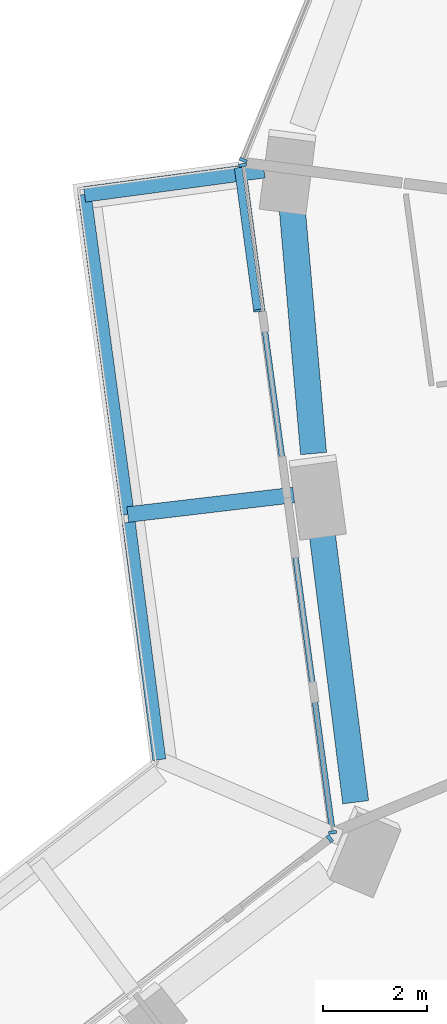
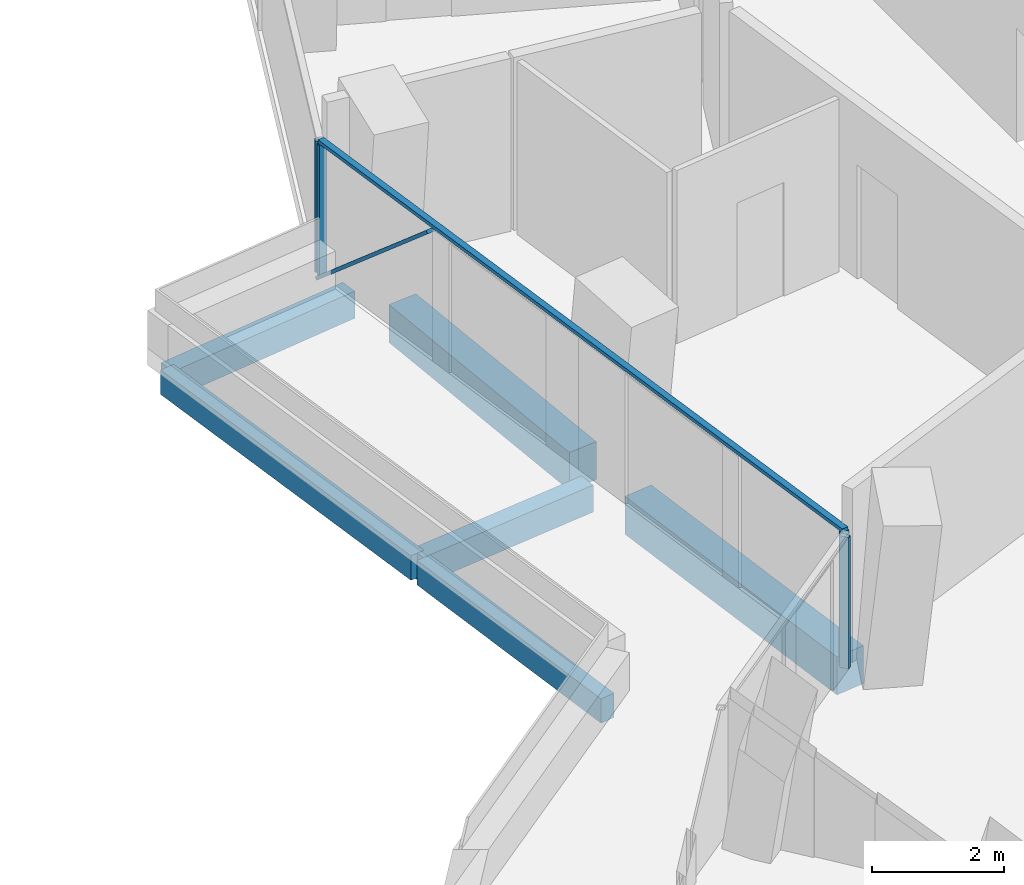
# One storey, part 4 of 27: 6 beams, 6 members, 3 elements without a shape of their own.
"""IFC4 building model written with IfcOpenShell, lengths in metres."""

from ifc_helpers import new_model, si_unit, direction, frame, origin, origin_2d, place, context, subcontext, project, spatial, rectangle, extrude, material, layer, layer_set, material_profile, profile_set, type_object, element, aggregate, save


model = new_model("IFC4")

# Units and contexts
model_context = context("Model", 3, precision=1e-05, world=origin(), true_north=direction((0.0, 1.0)))
body_context = subcontext(model_context, "Body", "Model", "MODEL_VIEW")
ifc_project = project(units=[si_unit("LENGTHUNIT", "METRE"), si_unit("AREAUNIT", "SQUARE_METRE"), si_unit("VOLUMEUNIT", "CUBIC_METRE"), si_unit("PLANEANGLEUNIT", "RADIAN"), si_unit("MASSUNIT", "GRAM", prefix="KILO")], contexts=[model_context])

# Site, building, storey
site_placement = place(None, origin())
site = spatial("IfcSite", under=ifc_project, at=site_placement, CompositionType="ELEMENT")
building_placement = place(site_placement, origin())
building = spatial("IfcBuilding", under=site, at=building_placement, Name="Verdalira Terraces Hotel", CompositionType="ELEMENT")
storey_placement = place(building_placement, frame((0.0, 0.0, 64.5)))
storey = spatial("IfcBuildingStorey", under=building, at=storey_placement, Name="L14", CompositionType="ELEMENT", Elevation=64.5)

# Beams
ifc_material_1 = material(Name="Concrete C40", Category="concrete")
ifc_material_profile_1 = material_profile(ifc_material_1, rectangle(XDim=0.300049, YDim=0.5, at=origin_2d()), Name="RC 300X500")
ifc_profile_set_1 = profile_set([ifc_material_profile_1], Name="Concrete C40")
beam_type_1 = type_object("IfcBeamType", Name="Balcony cantilever beam RC 300X500 C40", PredefinedType="BEAM", material=ifc_profile_set_1)
beam_1_placement = place(storey_placement, frame((-24.414551, 3.042236, -0.560059), z_axis=(-0.991030755, -0.133633985, 0.0), x_axis=(0.133633985, -0.991030755, 0.0)))
element("IfcBeam", 1, at=beam_1_placement, inside=storey, type_object=beam_type_1, Name="Balcony cantilever beam R13-3", PredefinedType="BEAM", context=body_context, shape_type="SweptSolid", body=[
    extrude(rectangle(XDim=0.300049, YDim=0.5, at=origin_2d()), origin(), (0.0, 0.0, 1.0), 3.469238),
])
beam_2_placement = place(storey_placement, frame((-23.846924, -3.180664, -0.560059), z_axis=(-0.993130805, -0.11700942, 0.0), x_axis=(0.11700942, -0.993130805, 0.0)))
element("IfcBeam", 2, at=beam_2_placement, inside=storey, type_object=beam_type_1, Name="Balcony cantilever beam R13-4", PredefinedType="BEAM", context=body_context, shape_type="SweptSolid", body=[
    extrude(rectangle(XDim=0.300049, YDim=0.5, at=origin_2d()), origin(), (0.0, 0.0, 1.0), 3.200684),
])
ifc_material_2 = material(Name="Concrete C40", Category="concrete")
ifc_material_profile_2 = material_profile(ifc_material_2, rectangle(XDim=0.25, YDim=0.449951, at=origin_2d()), Name="RC 250X450")
ifc_profile_set_2 = profile_set([ifc_material_profile_2], Name="Concrete C40")
beam_type_2 = type_object("IfcBeamType", Name="Balcony edge beam RC 250X450 C40", PredefinedType="BEAM", material=ifc_profile_set_2)
beam_3_placement = place(storey_placement, frame((-27.852783, 2.578613, -0.534912), z_axis=(0.133641489, -0.991029743, 0.0), x_axis=(0.991029743, 0.133641489, 0.0)))
element("IfcBeam", 3, at=beam_3_placement, inside=storey, type_object=beam_type_2, Name="Balcony edge beam R13-2", PredefinedType="BEAM", context=body_context, shape_type="SweptSolid", body=[
    extrude(rectangle(XDim=0.25, YDim=0.449951, at=origin_2d()), origin(), (0.0, 0.0, 1.0), 6.189209),
])
beam_4_placement = place(storey_placement, frame((-27.006592, -3.704102, -0.534912), z_axis=(0.127684119, -0.991814885, 0.0), x_axis=(0.991814885, 0.127684119, 0.0)))
element("IfcBeam", 4, at=beam_4_placement, inside=storey, type_object=beam_type_2, Name="Balcony edge beam R13-3", PredefinedType="BEAM", context=body_context, shape_type="SweptSolid", body=[
    extrude(rectangle(XDim=0.25, YDim=0.449951, at=origin_2d()), origin(), (0.0, 0.0, 1.0), 4.585205),
])

# Curtain wall, member
ifc_material_3 = material(Name="Clear glass", Category="glass")
ifc_layer_1 = layer(ifc_material_3, 0.14990234375)
ifc_layer_set_1 = layer_set([ifc_layer_1], Name="CW1 curtain wall")
curtain_wall_type_1 = type_object("IfcCurtainWallType", Name="CW1 curtain wall", PredefinedType="NOTDEFINED", material=ifc_layer_set_1)
curtain_wall_1_placement = place(storey_placement, origin())
curtain_wall_1 = element("IfcCurtainWall", 5, at=curtain_wall_1_placement, inside=storey, type_object=curtain_wall_type_1, Name="CW1 curtain wall L14 edge 12", PredefinedType="NOTDEFINED")
ifc_material_4 = material(Name="Terracotta frame", Category="masonry")
ifc_material_profile_3 = material_profile(ifc_material_4, rectangle(XDim=0.060059, YDim=0.149902, at=origin_2d()), Name="MU 60x150")
ifc_profile_set_3 = profile_set([ifc_material_profile_3], Name="Terracotta frame")
member_type_1 = type_object("IfcMemberType", Name="CW1 mullion 60x150", PredefinedType="MULLION", material=ifc_profile_set_3)
member_1_placement = place(storey_placement, frame((-24.813232, 3.236328, 0.0), z_axis=(0.0, 0.0, 1.0), x_axis=(-0.379779096, -0.925077207, 0.0)))
member_1 = element("IfcMember", 6, at=member_1_placement, type_object=member_type_1, Name="CW1 mullion", PredefinedType="MULLION", context=body_context, shape_type="SweptSolid", body=[
    extrude(rectangle(XDim=0.060059, YDim=0.149902, at=origin_2d()), origin(), (0.0, 0.0, 1.0), 2.425049),
])
aggregate(curtain_wall_1, [member_1])

# Curtain wall, members
curtain_wall_2_placement = place(storey_placement, origin())
curtain_wall_2 = element("IfcCurtainWall", 7, at=curtain_wall_2_placement, inside=storey, type_object=curtain_wall_type_1, Name="CW1 curtain wall L14 edge 13", PredefinedType="NOTDEFINED")
member_2_placement = place(storey_placement, frame((-24.825684, 3.140381, 0.0), z_axis=(0.0, 0.0, 1.0), x_axis=(0.133640259, -0.991029909, 0.0)))
member_2 = element("IfcMember", 8, at=member_2_placement, type_object=member_type_1, Name="CW1 mullion", PredefinedType="MULLION", context=body_context, shape_type="SweptSolid", body=[
    extrude(rectangle(XDim=0.060059, YDim=0.149902, at=origin_2d()), origin(), (0.0, 0.0, 1.0), 2.425049),
])
member_3_placement = place(storey_placement, frame((-23.101807, -9.643799, 0.0), z_axis=(0.0, 0.0, 1.0), x_axis=(0.133640259, -0.991029909, 0.0)))
member_3 = element("IfcMember", 9, at=member_3_placement, type_object=member_type_1, Name="CW1 mullion", PredefinedType="MULLION", context=body_context, shape_type="SweptSolid", body=[
    extrude(rectangle(XDim=0.060059, YDim=0.149902, at=origin_2d()), origin(), (0.0, 0.0, 1.0), 2.425049),
])
ifc_material_5 = material(Name="Terracotta frame", Category="masonry")
ifc_material_profile_4 = material_profile(ifc_material_5, rectangle(XDim=0.110107, YDim=0.064941, at=origin_2d()), Name="TR 65x110")
ifc_profile_set_4 = profile_set([ifc_material_profile_4], Name="Terracotta frame")
member_type_2 = type_object("IfcMemberType", Name="CW1 transom 65x110", PredefinedType="USERDEFINED", material=ifc_profile_set_4)
member_4_placement = place(storey_placement, frame((-24.82959, 3.169922, 2.45752), z_axis=(0.133639383, -0.991030027, 0.0), x_axis=(0.991030027, 0.133639383, 0.0)))
member_4 = element("IfcMember", 10, at=member_4_placement, type_object=member_type_2, Name="CW1 transom", ObjectType="TRANSOM", PredefinedType="USERDEFINED", context=body_context, shape_type="SweptSolid", body=[
    extrude(rectangle(XDim=0.110107, YDim=0.064941, at=origin_2d()), origin(), (0.0, 0.0, 1.0), 12.959717),
])

# Curtain wall, member
ifc_material_6 = material(Name="Clear glass", Category="glass")
ifc_layer_2 = layer(ifc_material_6, 0.14990234375)
ifc_layer_set_2 = layer_set([ifc_layer_2], Name="CW2 curtain wall")
curtain_wall_type_2 = type_object("IfcCurtainWallType", Name="CW2 curtain wall", PredefinedType="NOTDEFINED", material=ifc_layer_set_2)
curtain_wall_3_placement = place(storey_placement, origin())
curtain_wall_3 = element("IfcCurtainWall", 11, at=curtain_wall_3_placement, inside=storey, type_object=curtain_wall_type_2, Name="CW2 curtain wall L14 edge 14", PredefinedType="NOTDEFINED")
ifc_material_7 = material(Name="Terracotta frame", Category="masonry")
ifc_material_profile_5 = material_profile(ifc_material_7, rectangle(XDim=0.070068, YDim=0.149902, at=origin_2d()), Name="MU 70x150")
ifc_profile_set_5 = profile_set([ifc_material_profile_5], Name="Terracotta frame")
member_type_3 = type_object("IfcMemberType", Name="CW2 mullion 70x150", PredefinedType="MULLION", material=ifc_profile_set_5)
member_5_placement = place(storey_placement, frame((-23.153809, -9.764404, 0.0), z_axis=(0.0, 0.0, 1.0), x_axis=(-0.791436948, -0.611250814, 0.0)))
member_5 = element("IfcMember", 12, at=member_5_placement, type_object=member_type_3, Name="CW2 mullion", PredefinedType="MULLION", context=body_context, shape_type="SweptSolid", body=[
    extrude(rectangle(XDim=0.070068, YDim=0.149902, at=origin_2d()), origin(), (0.0, 0.0, 1.0), 2.425049),
])
aggregate(curtain_wall_3, [member_5])

# Member
ifc_material_8 = material(Name="Terracotta frame", Category="masonry")
ifc_material_profile_6 = material_profile(ifc_material_8, rectangle(XDim=0.149902, YDim=0.060059, at=origin_2d()), Name="GB 60x150")
ifc_profile_set_6 = profile_set([ifc_material_profile_6], Name="Terracotta frame")
member_type_4 = type_object("IfcMemberType", Name="Diagonal glazing bar 60x150", PredefinedType="USERDEFINED", material=ifc_profile_set_6)
member_6_placement = place(storey_placement, frame((-24.90625, 3.071289, 0.023926), z_axis=(0.101059275, -0.749102717, 0.65470004), x_axis=(0.991022397, 0.133695957, 0.0)))
member_6 = element("IfcMember", 13, at=member_6_placement, type_object=member_type_4, Name="Diagonal glazing bar", ObjectType="GLAZING BAR", PredefinedType="USERDEFINED", context=body_context, shape_type="SweptSolid", body=[
    extrude(rectangle(XDim=0.149902, YDim=0.060059, at=origin_2d()), origin(), (0.0, 0.0, 1.0), 3.630859),
])

aggregate(curtain_wall_2, [member_2, member_3, member_4, member_6])

# Beams
ifc_material_9 = material(Name="Concrete C70", Category="concrete")
ifc_material_profile_7 = material_profile(ifc_material_9, rectangle(XDim=0.5, YDim=0.699951, at=origin_2d()), Name="RC 500X700")
ifc_profile_set_7 = profile_set([ifc_material_profile_7], Name="Concrete C70")
beam_type_3 = type_object("IfcBeamType", Name="Spandrel beam RC 500X700 C70", PredefinedType="SPANDREL", material=ifc_profile_set_7)
beam_5_placement = place(storey_placement, frame((-23.878418, 2.354492, -0.659912), z_axis=(0.086696026, -0.996234811, 0.0), x_axis=(0.996234811, 0.086696026, 0.0)))
element("IfcBeam", 14, at=beam_5_placement, inside=storey, type_object=beam_type_3, Name="Spandrel beam B12", PredefinedType="SPANDREL", context=body_context, shape_type="SweptSolid", body=[
    extrude(rectangle(XDim=0.5, YDim=0.699951, at=origin_2d()), origin(), (0.0, 0.0, 1.0), 4.759033),
])
beam_6_placement = place(storey_placement, frame((-23.31665, -3.795166, -0.659912), z_axis=(0.123955541, -0.992287773, 0.0), x_axis=(0.992287773, 0.123955541, 0.0)))
element("IfcBeam", 15, at=beam_6_placement, inside=storey, type_object=beam_type_3, Name="Spandrel beam B13", PredefinedType="SPANDREL", context=body_context, shape_type="SweptSolid", body=[
    extrude(rectangle(XDim=0.5, YDim=0.699951, at=origin_2d()), origin(), (0.0, 0.0, 1.0), 5.312012),
])

save(model, "model.ifc")
